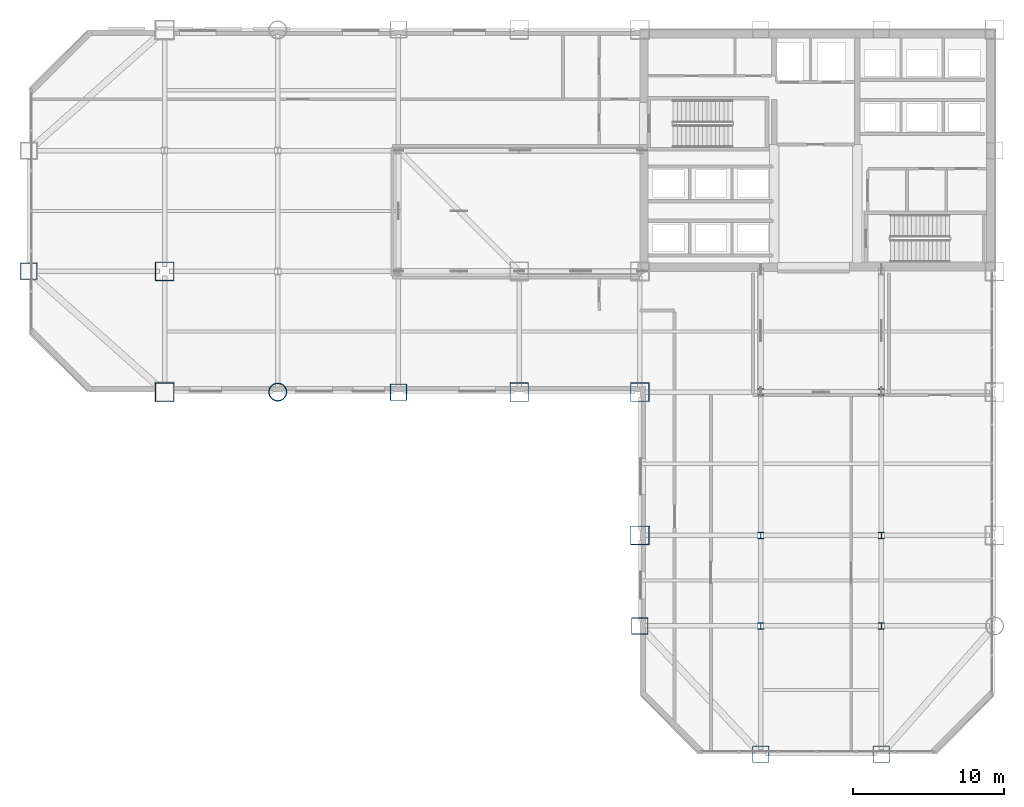
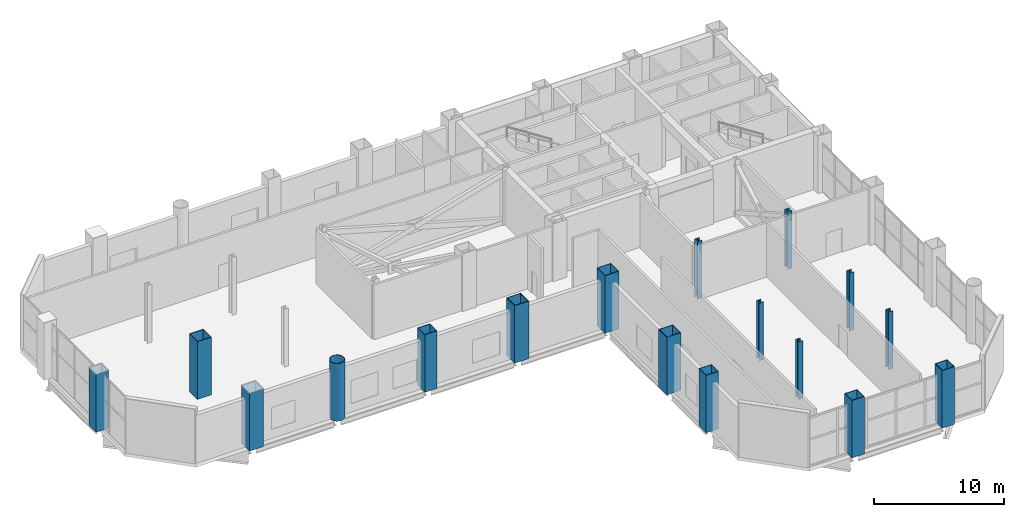
# One storey, part 1 of 26: 17 columns.
"""IFC4 building model written with IfcOpenShell, lengths in metres."""

from ifc_helpers import new_model, si_unit, direction, frame, origin, origin_2d, place, context, subcontext, project, spatial, hollow_rectangle, hollow_circle, i_section, extrude, material, material_profile, profile_set, type_object, element, save


model = new_model("IFC4")

# Units and contexts
model_context = context("Model", 3, precision=1e-05, world=origin(), true_north=direction((0.0, 1.0)))
body_context = subcontext(model_context, "Body", "Model", "MODEL_VIEW")
ifc_project = project(units=[si_unit("LENGTHUNIT", "METRE"), si_unit("AREAUNIT", "SQUARE_METRE"), si_unit("VOLUMEUNIT", "CUBIC_METRE"), si_unit("PLANEANGLEUNIT", "RADIAN"), si_unit("MASSUNIT", "GRAM", prefix="KILO")], contexts=[model_context])

# Site, building, storey
site_placement = place(None, origin())
site = spatial("IfcSite", under=ifc_project, at=site_placement, CompositionType="ELEMENT")
building_placement = place(site_placement, origin())
building = spatial("IfcBuilding", under=site, at=building_placement, Name="Qianrong Seaharbour Tower", CompositionType="ELEMENT")
storey_placement = place(building_placement, frame((0.0, 0.0, 108.199951171875)))
storey = spatial("IfcBuildingStorey", under=building, at=storey_placement, Name="L26", CompositionType="ELEMENT", Elevation=108.199951171875)

# Columns
ifc_material = material(Name="Structural steel SN490B", Category="steel")
ifc_material_profile_1 = material_profile(ifc_material, hollow_rectangle(XDim=1.25, YDim=1.25, WallThickness=0.044921875, at=origin_2d()), Name="BOX1250x1250x45")
ifc_profile_set_1 = profile_set([ifc_material_profile_1], Name="Structural steel SN490B")
column_type_1 = type_object("IfcColumnType", Name="COL-CFT-1250", PredefinedType="COLUMN", material=ifc_profile_set_1)
for number, where, z_axis, x_axis, name in (
    (1, (9.0, 28.0, 0.0), (0.0, 0.0, 1.0), (1.0, 0.0, 0.0), "L26 Column MC-2 at G2/GE"),
    (2, (9.0, 36.0, 0.0), (0.0, 0.0, 1.0), (1.0, 0.0, 0.0), "L26 Column MC-2 at G2/GF"),
    (3, (32.5, 28.0, 0.0), (0.0, 0.0, 1.0), (1.0, 0.0, 0.0), "L26 Column MC-2 at G5/GE"),
    (4, (40.5, 18.5, 0.0), (0.0, 0.0, 1.0), (1.0, 0.0, 0.0), "L26 Column MC-2 at G6/GD"),
    (5, (40.5, 28.0, 0.0), (0.0, 0.0, 1.0), (1.0, 0.0, 0.0), "L26 Column MC-2 at G6/GE"),
):
    element("IfcColumn", number, at=place(storey_placement, frame(where, z_axis=z_axis, x_axis=x_axis)), inside=storey, type_object=column_type_1, Name=name, PredefinedType="COLUMN", context=body_context, shape_type="SweptSolid", body=[
        extrude(hollow_rectangle(XDim=1.25, YDim=1.25, WallThickness=0.044921875, at=origin_2d()), origin(), (0.0, 0.0, 1.0), 5.400146484375),
    ])
ifc_material_profile_2 = material_profile(ifc_material, hollow_circle(Radius=0.60009765625, WallThickness=0.0400390625, at=origin_2d()), Name="CHS1200x40")
ifc_profile_set_2 = profile_set([ifc_material_profile_2], Name="Structural steel SN490B")
column_type_2 = type_object("IfcColumnType", Name="COL-CHS-1200", PredefinedType="COLUMN", material=ifc_profile_set_2)
column_placement = place(storey_placement, frame((16.5, 28.0, 0.0), z_axis=(0.0, 0.0, 1.0), x_axis=(1.0, 0.0, 0.0)))
element("IfcColumn", 6, at=column_placement, inside=storey, type_object=column_type_2, Name="L26 Column CC-1 at G3/GE", PredefinedType="COLUMN", context=body_context, shape_type="SweptSolid", body=[
    extrude(hollow_circle(Radius=0.60009765625, WallThickness=0.0400390625, at=origin_2d()), origin(), (0.0, 0.0, 1.0), 5.400146484375),
])
ifc_material_profile_3 = material_profile(ifc_material, i_section(OverallWidth=0.406982421875, OverallDepth=0.427978515625, WebThickness=0.02001953125, FlangeThickness=0.034912109375, FilletRadius=0.02197265625, at=origin_2d()), Name="H428x407x20x35")
ifc_profile_set_3 = profile_set([ifc_material_profile_3], Name="Structural steel SN490B")
column_type_3 = type_object("IfcColumnType", Name="COL-INT-H428", PredefinedType="COLUMN", material=ifc_profile_set_3)
for number, where, z_axis, x_axis, name in (
    (7, (48.5, 12.5, 0.0), (0.0, 0.0, 1.0), (1.0, 0.0, 0.0), "L26 Column IC-2 at G7/GC"),
    (8, (48.5, 18.5, 0.0), (0.0, 0.0, 1.0), (1.0, 0.0, 0.0), "L26 Column IC-2 at G7/GD"),
    (9, (48.5, 28.0, 0.0), (0.0, 0.0, 1.0), (1.0, 0.0, 0.0), "L26 Column IC-2 at G7/GE"),
    (10, (56.5, 12.5, 0.0), (0.0, 0.0, 1.0), (1.0, 0.0, 0.0), "L26 Column IC-2 at G8/GC"),
    (11, (56.5, 18.5, 0.0), (0.0, 0.0, 1.0), (1.0, 0.0, 0.0), "L26 Column IC-2 at G8/GD"),
    (12, (56.5, 28.0, 0.0), (0.0, 0.0, 1.0), (1.0, 0.0, 0.0), "L26 Column IC-2 at G8/GE"),
):
    element("IfcColumn", number, at=place(storey_placement, frame(where, z_axis=z_axis, x_axis=x_axis)), inside=storey, type_object=column_type_3, Name=name, PredefinedType="COLUMN", context=body_context, shape_type="SweptSolid", body=[
        extrude(i_section(OverallWidth=0.406982421875, OverallDepth=0.427978515625, WebThickness=0.02001953125, FlangeThickness=0.034912109375, FilletRadius=0.02197265625, at=origin_2d()), origin(), (0.0, 0.0, 1.0), 5.400146484375),
    ])
ifc_material_profile_4 = material_profile(ifc_material, hollow_rectangle(XDim=1.10009765625, YDim=1.10009765625, WallThickness=0.0400390625, at=origin_2d()), Name="BOX1100x1100x40")
ifc_profile_set_4 = profile_set([ifc_material_profile_4], Name="Structural steel SN490B")
column_type_4 = type_object("IfcColumnType", Name="COL-PER-1100", PredefinedType="COLUMN", material=ifc_profile_set_4)
for number, where, z_axis, x_axis, name in (
    (13, (0.0, 36.0, 0.0), (0.0, 0.0, 1.0), (1.0, 0.0, 0.0), "L26 Column PC-1 at G1/GF"),
    (14, (24.5, 28.0, 0.0), (0.0, 0.0, 1.0), (1.0, 0.0, 0.0), "L26 Column PC-1 at G4/GE"),
    (15, (40.5, 12.5, 0.0), (0.0, 0.0, 1.0), (1.0, 0.0, 0.0), "L26 Column PC-1 at G6/GC"),
    (16, (48.5, 4.0, 0.0), (0.0, 0.0, 1.0), (1.0, 0.0, 0.0), "L26 Column PC-1 at G7/GB"),
    (17, (56.5, 4.0, 0.0), (0.0, 0.0, 1.0), (1.0, 0.0, 0.0), "L26 Column PC-1 at G8/GB"),
):
    element("IfcColumn", number, at=place(storey_placement, frame(where, z_axis=z_axis, x_axis=x_axis)), inside=storey, type_object=column_type_4, Name=name, PredefinedType="COLUMN", context=body_context, shape_type="SweptSolid", body=[
        extrude(hollow_rectangle(XDim=1.10009765625, YDim=1.10009765625, WallThickness=0.0400390625, at=origin_2d()), origin(), (0.0, 0.0, 1.0), 5.400146484375),
    ])

save(model, "model.ifc")
